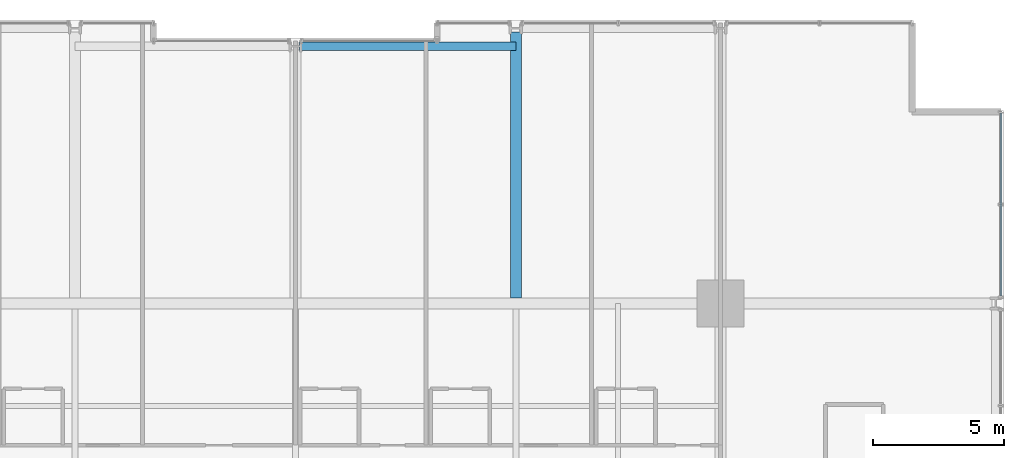
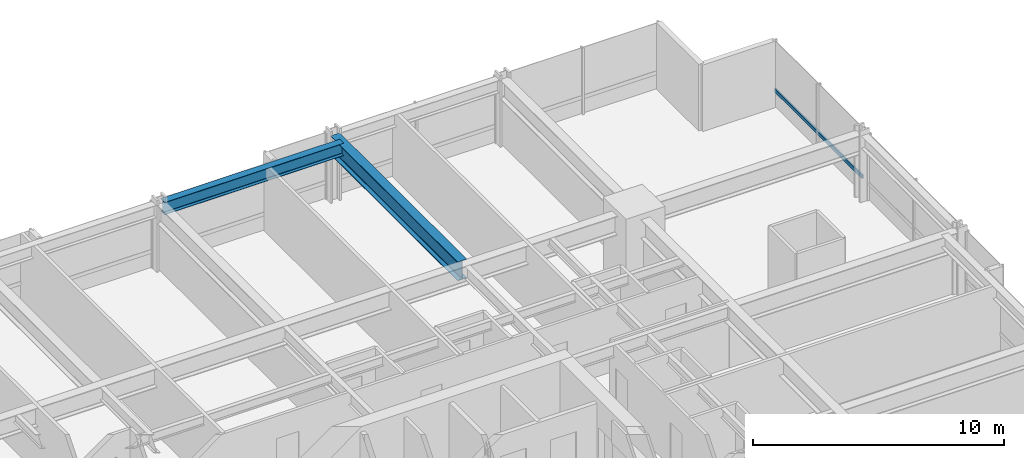
# One storey, part 26 of 39: 2 beams, 1 member, 1 element without a shape of its own.
"""IFC4 building model written with IfcOpenShell, lengths in metres."""

import ifcopenshell
import ifcopenshell.guid

model = None  # the IFC model being written
_history = None  # IfcOwnerHistory: only IFC2X3 demands one
_inside = {}  # id of a spatial element -> (the spatial element, [elements in it])
_under = {}  # id of a project, library or spatial element -> (it, [spatial elements below it])
_declared = {}  # id of a project -> (the project, [libraries it declares])
_typed = {}  # id of a type object -> (the type object, [elements of that type])
_made_of = {}  # id of a material, layer set ... -> (it, [elements and type objects made of it])


def new_model(schema):
    """Start an empty IFC model of exactly this schema.

    Asked for "IFC4X3", IfcOpenShell would pick the latest addendum, in which some entities
    have other attributes; the version numbers below select the first issue.
    IFC2X3 requires an IfcOwnerHistory on every rooted entity: one is made here for all.
    """
    global model, _history
    if schema == "IFC4X3":
        model = ifcopenshell.file(schema_version=(4, 3, 0, 0))
    else:
        model = ifcopenshell.file(schema=schema)
    _inside.clear()
    _under.clear()
    _declared.clear()
    _typed.clear()
    _made_of.clear()
    _history = None
    if model.schema == "IFC2X3":
        org = make("IfcOrganization", Name="unknown")
        user = make(
            "IfcPersonAndOrganization",
            ThePerson=make("IfcPerson", FamilyName="unknown"),
            TheOrganization=org,
        )
        app = make(
            "IfcApplication",
            ApplicationDeveloper=org,
            Version="unknown",
            ApplicationFullName="unknown",
            ApplicationIdentifier="unknown",
        )
        _history = make(
            "IfcOwnerHistory",
            OwningUser=user,
            OwningApplication=app,
            ChangeAction="ADDED",
            CreationDate=0,
        )
    return model


def make(cls, **values):
    """One entity of the class cls with the attributes given. An attribute that is None is left unset."""
    return model.create_entity(
        cls, **{name: value for name, value in values.items() if value is not None}
    )


def rooted(cls, **values):
    """An entity with a GlobalId (a new one), such as an element, a storey or a relation."""
    return make(cls, GlobalId=ifcopenshell.guid.new(), OwnerHistory=_history, **values)


def si_unit(unit_type, name, prefix=None):
    """IfcSIUnit, for example si_unit("LENGTHUNIT", "METRE", prefix="MILLI")."""
    return make("IfcSIUnit", UnitType=unit_type, Prefix=prefix, Name=name)


def assignment(units):
    """IfcUnitAssignment: the units of a project."""
    return None if units is None else make("IfcUnitAssignment", Units=units)


def point(xyz):
    """IfcCartesianPoint."""
    return None if xyz is None else make("IfcCartesianPoint", Coordinates=xyz)


def direction(xyz):
    """IfcDirection."""
    return None if xyz is None else make("IfcDirection", DirectionRatios=xyz)


def frame(location, z_axis=None, x_axis=None):
    """IfcAxis2Placement3D, a coordinate frame: its origin and axes. An axis left out is left unset."""
    return make(
        "IfcAxis2Placement3D",
        Location=point(location),
        Axis=direction(z_axis),
        RefDirection=direction(x_axis),
    )


def frame_2d(location, x_axis=None):
    """IfcAxis2Placement2D, a coordinate frame in the plane: its origin and x axis."""
    return make(
        "IfcAxis2Placement2D", Location=point(location), RefDirection=direction(x_axis)
    )


def origin():
    """The frame at (0, 0, 0) with its axes left unset."""
    return frame((0.0, 0.0, 0.0))


def origin_2d():
    """The frame at (0, 0) in the plane with its x axis left unset."""
    return frame_2d((0.0, 0.0))


def place(relative_to, where):
    """IfcLocalPlacement: puts the frame where relative to a parent placement (None: the world)."""
    return make(
        "IfcLocalPlacement", PlacementRelTo=relative_to, RelativePlacement=where
    )


def context(
    kind, dimensions, precision=None, world=None, true_north=None, identifier=None
):
    """IfcGeometricRepresentationContext, for example the 3D "Model" context."""
    return make(
        "IfcGeometricRepresentationContext",
        ContextIdentifier=identifier,
        ContextType=kind,
        CoordinateSpaceDimension=dimensions,
        Precision=precision,
        WorldCoordinateSystem=world,
        TrueNorth=true_north,
    )


def subcontext(parent, identifier, kind, view, scale=None):
    """IfcGeometricRepresentationSubContext, for example "Body" below "Model"."""
    return make(
        "IfcGeometricRepresentationSubContext",
        ContextIdentifier=identifier,
        ContextType=kind,
        ParentContext=parent,
        TargetScale=scale,
        TargetView=view,
    )


def project(units=None, contexts=None):
    """IfcProject with its units and contexts."""
    return rooted(
        "IfcProject",
        Name="project",
        RepresentationContexts=contexts,
        UnitsInContext=assignment(units),
    )


def spatial(cls, under=None, at=None, **own):
    """A site, building, storey or space (cls), placed at a placement, below another one or the project."""
    s = rooted(cls, ObjectPlacement=at, **own)
    if under is not None:
        _under.setdefault(under.id(), (under, []))[1].append(s)
    return s


def profile(cls, at=None, kind="AREA", **sizes):
    """A parametric profile (cls). Its sizes go by their IFC names, for example OverallWidth=200.0."""
    return make(cls, ProfileType=kind, Position=at, **sizes)


def hollow_rectangle(**sizes):
    """IfcRectangleHollowProfileDef."""
    return profile("IfcRectangleHollowProfileDef", **sizes)


def i_section(**sizes):
    """IfcIShapeProfileDef."""
    return profile("IfcIShapeProfileDef", **sizes)


def extrude(swept, where, along, depth):
    """IfcExtrudedAreaSolid: the profile swept, set in the frame where, extruded along a direction by depth."""
    return make(
        "IfcExtrudedAreaSolid",
        SweptArea=swept,
        Position=where,
        ExtrudedDirection=direction(along),
        Depth=depth,
    )


def shape(context_of_items, identifier, shape_type, items):
    """IfcShapeRepresentation: the items that make up one representation, for example the "Body"."""
    return make(
        "IfcShapeRepresentation",
        ContextOfItems=context_of_items,
        RepresentationIdentifier=identifier,
        RepresentationType=shape_type,
        Items=items,
    )


def material(Name=None, Category=None):
    """IfcMaterial."""
    return make("IfcMaterial", Name=Name, Category=Category)


def layer(
    of_material, thickness, ventilated=None, Name=None, Category=None, Priority=None
):
    """IfcMaterialLayer: one layer of a wall or slab, of a material (None: an air gap)."""
    return make(
        "IfcMaterialLayer",
        Material=of_material,
        LayerThickness=thickness,
        IsVentilated=ventilated,
        Name=Name,
        Category=Category,
        Priority=Priority,
    )


def layer_set(layers, Name=None):
    """IfcMaterialLayerSet."""
    return make("IfcMaterialLayerSet", MaterialLayers=layers, LayerSetName=Name)


def material_profile(
    of_material, cross_section, Name=None, Category=None, Priority=None
):
    """IfcMaterialProfile: a cross section and its material."""
    return make(
        "IfcMaterialProfile",
        Name=Name,
        Material=of_material,
        Profile=cross_section,
        Priority=Priority,
        Category=Category,
    )


def profile_set(profiles, Name=None, composite=None):
    """IfcMaterialProfileSet."""
    return make(
        "IfcMaterialProfileSet",
        Name=Name,
        MaterialProfiles=profiles,
        CompositeProfile=composite,
    )


def made_of(thing, what):
    """Note that an element or type object is made of a material, layer set ...; save() writes the relation."""
    if what is not None:
        _made_of.setdefault(what.id(), (what, []))[1].append(thing)
    return thing


def type_object(cls, material=None, **own):
    """A type object (cls), such as IfcWallType, which elements share."""
    return made_of(rooted(cls, **own), material)


def element(
    cls,
    number,
    at=None,
    inside=None,
    cuts=None,
    type_object=None,
    material=None,
    context=None,
    identifier="Body",
    shape_type=None,
    held_by="IfcProductDefinitionShape",
    body=None,
    shapes=None,
    **own,
):
    """One element of the class cls, such as IfcWall. Its Tag is "e" and its number.

    at: its placement. inside: the storey or other place that contains it. cuts: it is an
    opening in that element (IfcRelVoidsElement). A single representation is given by context,
    identifier, shape_type and body (its items); several are given by shapes. held_by: the class
    of the entity that holds the representations. save() writes the other relations.
    """
    e = rooted(cls, Tag="e%d" % number, ObjectPlacement=at, **own)
    if body is not None:
        shapes = [shape(context, identifier, shape_type, body)]
    if shapes is not None:
        e.Representation = make(held_by, Representations=shapes)
    if inside is not None:
        _inside.setdefault(inside.id(), (inside, []))[1].append(e)
    if cuts is not None:
        rooted(
            "IfcRelVoidsElement", RelatingBuildingElement=cuts, RelatedOpeningElement=e
        )
    if type_object is not None:
        _typed.setdefault(type_object.id(), (type_object, []))[1].append(e)
    return made_of(e, material)


def aggregate(whole, parts):
    """IfcRelAggregates: a whole, such as a stair, and the parts it consists of."""
    return rooted("IfcRelAggregates", RelatingObject=whole, RelatedObjects=parts)


def save(model, path):
    """Write the relations noted so far, then the file.

    IfcRelAggregates (storeys below a building ...), IfcRelContainedInSpatialStructure (elements
    in a storey), IfcRelDefinesByType, IfcRelAssociatesMaterial and IfcRelDeclares: one each for
    every whole, place, type object, material and project.
    """
    for whole, parts in _under.values():
        aggregate(whole, parts)
    for where, things in _inside.values():
        rooted(
            "IfcRelContainedInSpatialStructure",
            RelatedElements=things,
            RelatingStructure=where,
        )
    for kind, things in _typed.values():
        rooted("IfcRelDefinesByType", RelatedObjects=things, RelatingType=kind)
    for what, things in _made_of.values():
        rooted("IfcRelAssociatesMaterial", RelatedObjects=things, RelatingMaterial=what)
    for by, libraries in _declared.values():
        rooted("IfcRelDeclares", RelatingContext=by, RelatedDefinitions=libraries)
    model.write(path)


model = new_model("IFC4")

# Units and contexts
model_context = context("Model", 3, precision=1e-05, world=origin(), true_north=direction((0.0, 1.0)))
body_context = subcontext(model_context, "Body", "Model", "MODEL_VIEW")
ifc_project = project(units=[si_unit("LENGTHUNIT", "METRE"), si_unit("AREAUNIT", "SQUARE_METRE"), si_unit("VOLUMEUNIT", "CUBIC_METRE"), si_unit("PLANEANGLEUNIT", "RADIAN"), si_unit("MASSUNIT", "GRAM", prefix="KILO")], contexts=[model_context])

# Site, building, storey
site_placement = place(None, origin())
site = spatial("IfcSite", under=ifc_project, at=site_placement, CompositionType="ELEMENT")
building_placement = place(site_placement, origin())
building = spatial("IfcBuilding", under=site, at=building_placement, Name="Drelvath Grand Hotel", CompositionType="ELEMENT")
storey_placement = place(building_placement, frame((0.0, 0.0, 36.699951171875)))
storey = spatial("IfcBuildingStorey", under=building, at=storey_placement, Name="L07", CompositionType="ELEMENT", Elevation=36.699951171875)

# Curtain wall, member
ifc_material_1 = material(Name="Warm Bronze Anodised Aluminium Frame", Category="aluminium")
ifc_layer = layer(ifc_material_1, 0.199951171875)
ifc_layer_set = layer_set([ifc_layer], Name="Warm Bronze Anodised Aluminium Frame")
curtain_wall_type = type_object("IfcCurtainWallType", Name="Stick Curtain Wall CW-02 Warm Bronze Low-Rise", PredefinedType="NOTDEFINED", material=ifc_layer_set)
curtain_wall_placement = place(storey_placement, origin())
curtain_wall = element("IfcCurtainWall", 1, at=curtain_wall_placement, inside=storey, type_object=curtain_wall_type, Name="L07 CW-02 Curtain Wall CW02-L07-EN3", PredefinedType="NOTDEFINED")
ifc_material_profile_1 = material_profile(ifc_material_1, hollow_rectangle(XDim=0.074951171875, YDim=0.179931640625, WallThickness=0.0048828125, at=origin_2d()), Name="HSS180X75X5")
ifc_profile_set_1 = profile_set([ifc_material_profile_1], Name="Warm Bronze Anodised Aluminium Frame")
member_type = type_object("IfcMemberType", Name="Curtain Wall Horizontal Transom CW-02 HSS180X75X5", PredefinedType="USERDEFINED", material=ifc_profile_set_1)
member_placement = place(storey_placement, frame((26.8798828125, 50.4599609375, 0.81005859375), z_axis=(0.0, -1.0, 0.0), x_axis=(1.0, 0.0, 0.0)))
member = element("IfcMember", 2, at=member_placement, type_object=member_type, Name="CW02-L07-EN3 Sill Transom", ObjectType="TRANSOM", PredefinedType="USERDEFINED", context=body_context, shape_type="SweptSolid", body=[
    extrude(hollow_rectangle(XDim=0.074951171875, YDim=0.179931640625, WallThickness=0.0048828125, at=origin_2d()), origin(), (0.0, 0.0, 1.0), 6.97900390625),
])
aggregate(curtain_wall, [member])

# Beams
ifc_material_2 = material(Name="Steel ASTM A992 Gr 50", Category="steel")
ifc_material_profile_2 = material_profile(ifc_material_2, i_section(OverallWidth=0.323974609375, OverallDepth=0.611083984375, WebThickness=0.0126953125, FlangeThickness=0.01904296875, FilletRadius=0.02197265625, at=origin_2d()), Name="W24X104")
ifc_profile_set_2 = profile_set([ifc_material_profile_2], Name="Steel ASTM A992 Gr 50")
beam_type_1 = type_object("IfcBeamType", Name="Perimeter Spandrel Beam W24X104", PredefinedType="SPANDREL", material=ifc_profile_set_2)
beam_1_placement = place(storey_placement, frame((0.139892578125, 53.0, 2.9345703125), z_axis=(1.0, 0.0, 0.0), x_axis=(0.0, 1.0, 0.0)))
element("IfcBeam", 3, at=beam_1_placement, inside=storey, type_object=beam_type_1, Name="L07 Spandrel North Mid E", PredefinedType="SPANDREL", context=body_context, shape_type="SweptSolid", body=[
    extrude(i_section(OverallWidth=0.323974609375, OverallDepth=0.611083984375, WebThickness=0.0126953125, FlangeThickness=0.01904296875, FilletRadius=0.02197265625, at=origin_2d()), origin(), (0.0, 0.0, 1.0), 8.260009765625),
])
ifc_material_profile_3 = material_profile(ifc_material_2, i_section(OverallWidth=0.418212890625, OverallDepth=0.926513671875, WebThickness=0.019287109375, FlangeThickness=0.031982421875, FilletRadius=0.028076171875, at=origin_2d()), Name="W36X231")
ifc_profile_set_3 = profile_set([ifc_material_profile_3], Name="Steel ASTM A992 Gr 50")
beam_type_2 = type_object("IfcBeamType", Name="Primary Floor Girder W36X231", PredefinedType="BEAM", material=ifc_profile_set_3)
beam_2_placement = place(storey_placement, frame((8.39990234375, 43.4091796875, 2.77685546875), z_axis=(0.0, 1.0, 0.0), x_axis=(-1.0, 0.0, 0.0)))
element("IfcBeam", 4, at=beam_2_placement, inside=storey, type_object=beam_type_2, Name="L07 North Wing Girder 6", PredefinedType="BEAM", context=body_context, shape_type="SweptSolid", body=[
    extrude(i_section(OverallWidth=0.418212890625, OverallDepth=0.926513671875, WebThickness=0.019287109375, FlangeThickness=0.031982421875, FilletRadius=0.028076171875, at=origin_2d()), origin(), (0.0, 0.0, 1.0), 10.130859375),
])

save(model, "model.ifc")
